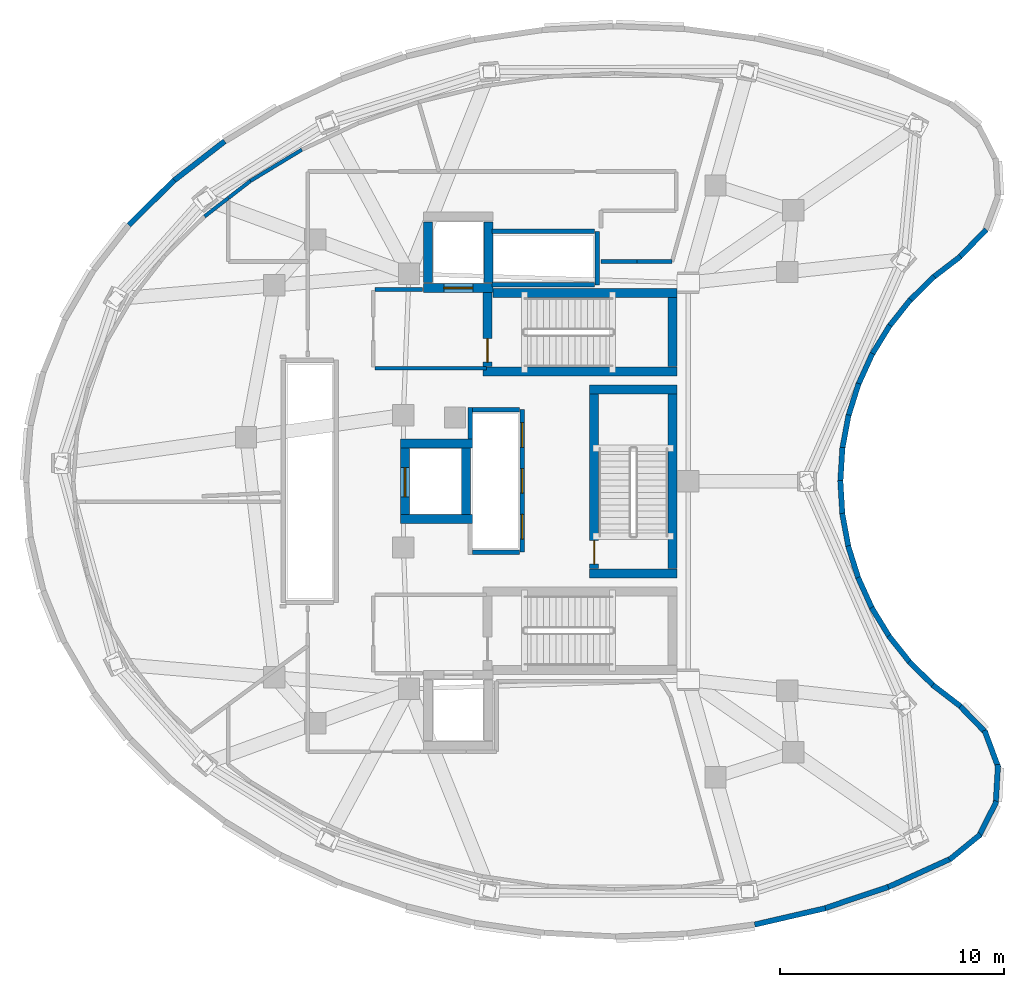
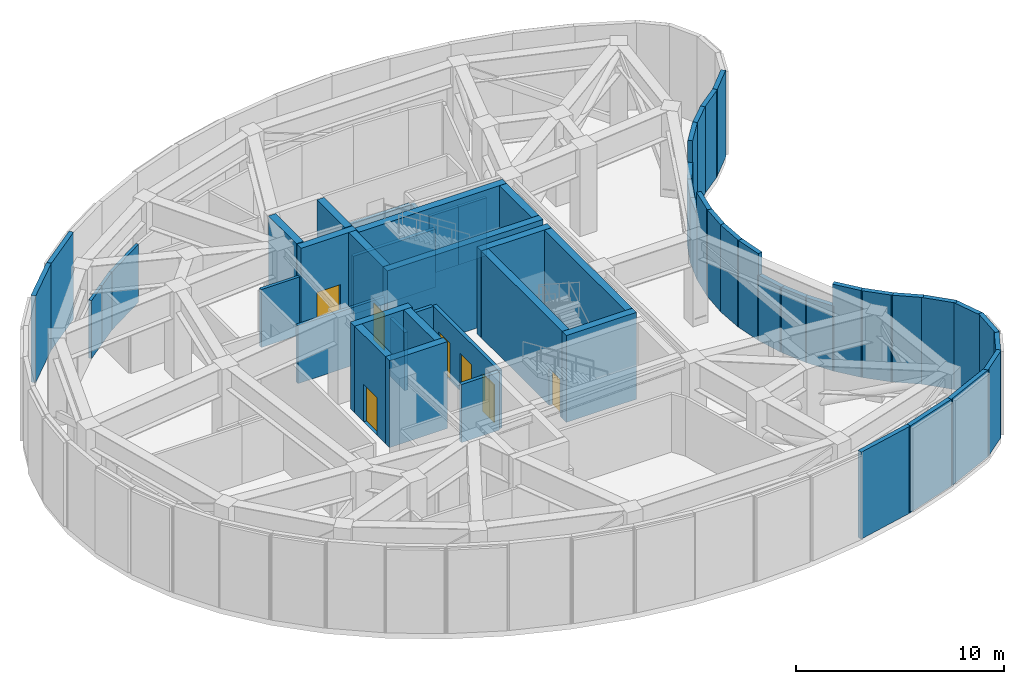
# One storey, part 5 of 9: 56 walls, 7 doors, 7 openings.
"""IFC4 building model written with IfcOpenShell, lengths in metres."""

import ifcopenshell
import ifcopenshell.guid

model = None  # the IFC model being written
_history = None  # IfcOwnerHistory: only IFC2X3 demands one
_inside = {}  # id of a spatial element -> (the spatial element, [elements in it])
_under = {}  # id of a project, library or spatial element -> (it, [spatial elements below it])
_declared = {}  # id of a project -> (the project, [libraries it declares])
_typed = {}  # id of a type object -> (the type object, [elements of that type])
_made_of = {}  # id of a material, layer set ... -> (it, [elements and type objects made of it])


def new_model(schema):
    """Start an empty IFC model of exactly this schema.

    Asked for "IFC4X3", IfcOpenShell would pick the latest addendum, in which some entities
    have other attributes; the version numbers below select the first issue.
    IFC2X3 requires an IfcOwnerHistory on every rooted entity: one is made here for all.
    """
    global model, _history
    if schema == "IFC4X3":
        model = ifcopenshell.file(schema_version=(4, 3, 0, 0))
    else:
        model = ifcopenshell.file(schema=schema)
    _inside.clear()
    _under.clear()
    _declared.clear()
    _typed.clear()
    _made_of.clear()
    _history = None
    if model.schema == "IFC2X3":
        org = make("IfcOrganization", Name="unknown")
        user = make(
            "IfcPersonAndOrganization",
            ThePerson=make("IfcPerson", FamilyName="unknown"),
            TheOrganization=org,
        )
        app = make(
            "IfcApplication",
            ApplicationDeveloper=org,
            Version="unknown",
            ApplicationFullName="unknown",
            ApplicationIdentifier="unknown",
        )
        _history = make(
            "IfcOwnerHistory",
            OwningUser=user,
            OwningApplication=app,
            ChangeAction="ADDED",
            CreationDate=0,
        )
    return model


def make(cls, **values):
    """One entity of the class cls with the attributes given. An attribute that is None is left unset."""
    return model.create_entity(
        cls, **{name: value for name, value in values.items() if value is not None}
    )


def rooted(cls, **values):
    """An entity with a GlobalId (a new one), such as an element, a storey or a relation."""
    return make(cls, GlobalId=ifcopenshell.guid.new(), OwnerHistory=_history, **values)


def si_unit(unit_type, name, prefix=None):
    """IfcSIUnit, for example si_unit("LENGTHUNIT", "METRE", prefix="MILLI")."""
    return make("IfcSIUnit", UnitType=unit_type, Prefix=prefix, Name=name)


def assignment(units):
    """IfcUnitAssignment: the units of a project."""
    return None if units is None else make("IfcUnitAssignment", Units=units)


def point(xyz):
    """IfcCartesianPoint."""
    return None if xyz is None else make("IfcCartesianPoint", Coordinates=xyz)


def direction(xyz):
    """IfcDirection."""
    return None if xyz is None else make("IfcDirection", DirectionRatios=xyz)


def frame(location, z_axis=None, x_axis=None):
    """IfcAxis2Placement3D, a coordinate frame: its origin and axes. An axis left out is left unset."""
    return make(
        "IfcAxis2Placement3D",
        Location=point(location),
        Axis=direction(z_axis),
        RefDirection=direction(x_axis),
    )


def frame_2d(location, x_axis=None):
    """IfcAxis2Placement2D, a coordinate frame in the plane: its origin and x axis."""
    return make(
        "IfcAxis2Placement2D", Location=point(location), RefDirection=direction(x_axis)
    )


def origin():
    """The frame at (0, 0, 0) with its axes left unset."""
    return frame((0.0, 0.0, 0.0))


def place(relative_to, where):
    """IfcLocalPlacement: puts the frame where relative to a parent placement (None: the world)."""
    return make(
        "IfcLocalPlacement", PlacementRelTo=relative_to, RelativePlacement=where
    )


def context(
    kind, dimensions, precision=None, world=None, true_north=None, identifier=None
):
    """IfcGeometricRepresentationContext, for example the 3D "Model" context."""
    return make(
        "IfcGeometricRepresentationContext",
        ContextIdentifier=identifier,
        ContextType=kind,
        CoordinateSpaceDimension=dimensions,
        Precision=precision,
        WorldCoordinateSystem=world,
        TrueNorth=true_north,
    )


def subcontext(parent, identifier, kind, view, scale=None):
    """IfcGeometricRepresentationSubContext, for example "Body" below "Model"."""
    return make(
        "IfcGeometricRepresentationSubContext",
        ContextIdentifier=identifier,
        ContextType=kind,
        ParentContext=parent,
        TargetScale=scale,
        TargetView=view,
    )


def project(units=None, contexts=None):
    """IfcProject with its units and contexts."""
    return rooted(
        "IfcProject",
        Name="project",
        RepresentationContexts=contexts,
        UnitsInContext=assignment(units),
    )


def spatial(cls, under=None, at=None, **own):
    """A site, building, storey or space (cls), placed at a placement, below another one or the project."""
    s = rooted(cls, ObjectPlacement=at, **own)
    if under is not None:
        _under.setdefault(under.id(), (under, []))[1].append(s)
    return s


def profile(cls, at=None, kind="AREA", **sizes):
    """A parametric profile (cls). Its sizes go by their IFC names, for example OverallWidth=200.0."""
    return make(cls, ProfileType=kind, Position=at, **sizes)


def rectangle(**sizes):
    """IfcRectangleProfileDef."""
    return profile("IfcRectangleProfileDef", **sizes)


def extrude(swept, where, along, depth):
    """IfcExtrudedAreaSolid: the profile swept, set in the frame where, extruded along a direction by depth."""
    return make(
        "IfcExtrudedAreaSolid",
        SweptArea=swept,
        Position=where,
        ExtrudedDirection=direction(along),
        Depth=depth,
    )


def shape(context_of_items, identifier, shape_type, items):
    """IfcShapeRepresentation: the items that make up one representation, for example the "Body"."""
    return make(
        "IfcShapeRepresentation",
        ContextOfItems=context_of_items,
        RepresentationIdentifier=identifier,
        RepresentationType=shape_type,
        Items=items,
    )


def material(Name=None, Category=None):
    """IfcMaterial."""
    return make("IfcMaterial", Name=Name, Category=Category)


def layer(
    of_material, thickness, ventilated=None, Name=None, Category=None, Priority=None
):
    """IfcMaterialLayer: one layer of a wall or slab, of a material (None: an air gap)."""
    return make(
        "IfcMaterialLayer",
        Material=of_material,
        LayerThickness=thickness,
        IsVentilated=ventilated,
        Name=Name,
        Category=Category,
        Priority=Priority,
    )


def layer_set(layers, Name=None):
    """IfcMaterialLayerSet."""
    return make("IfcMaterialLayerSet", MaterialLayers=layers, LayerSetName=Name)


def made_of(thing, what):
    """Note that an element or type object is made of a material, layer set ...; save() writes the relation."""
    if what is not None:
        _made_of.setdefault(what.id(), (what, []))[1].append(thing)
    return thing


def type_object(cls, material=None, **own):
    """A type object (cls), such as IfcWallType, which elements share."""
    return made_of(rooted(cls, **own), material)


def element(
    cls,
    number,
    at=None,
    inside=None,
    cuts=None,
    type_object=None,
    material=None,
    context=None,
    identifier="Body",
    shape_type=None,
    held_by="IfcProductDefinitionShape",
    body=None,
    shapes=None,
    **own,
):
    """One element of the class cls, such as IfcWall. Its Tag is "e" and its number.

    at: its placement. inside: the storey or other place that contains it. cuts: it is an
    opening in that element (IfcRelVoidsElement). A single representation is given by context,
    identifier, shape_type and body (its items); several are given by shapes. held_by: the class
    of the entity that holds the representations. save() writes the other relations.
    """
    e = rooted(cls, Tag="e%d" % number, ObjectPlacement=at, **own)
    if body is not None:
        shapes = [shape(context, identifier, shape_type, body)]
    if shapes is not None:
        e.Representation = make(held_by, Representations=shapes)
    if inside is not None:
        _inside.setdefault(inside.id(), (inside, []))[1].append(e)
    if cuts is not None:
        rooted(
            "IfcRelVoidsElement", RelatingBuildingElement=cuts, RelatedOpeningElement=e
        )
    if type_object is not None:
        _typed.setdefault(type_object.id(), (type_object, []))[1].append(e)
    return made_of(e, material)


def fill(opening, filler):
    """IfcRelFillsElement: the door or window that sits in an opening."""
    return rooted(
        "IfcRelFillsElement",
        RelatingOpeningElement=opening,
        RelatedBuildingElement=filler,
    )


def aggregate(whole, parts):
    """IfcRelAggregates: a whole, such as a stair, and the parts it consists of."""
    return rooted("IfcRelAggregates", RelatingObject=whole, RelatedObjects=parts)


def save(model, path):
    """Write the relations noted so far, then the file.

    IfcRelAggregates (storeys below a building ...), IfcRelContainedInSpatialStructure (elements
    in a storey), IfcRelDefinesByType, IfcRelAssociatesMaterial and IfcRelDeclares: one each for
    every whole, place, type object, material and project.
    """
    for whole, parts in _under.values():
        aggregate(whole, parts)
    for where, things in _inside.values():
        rooted(
            "IfcRelContainedInSpatialStructure",
            RelatedElements=things,
            RelatingStructure=where,
        )
    for kind, things in _typed.values():
        rooted("IfcRelDefinesByType", RelatedObjects=things, RelatingType=kind)
    for what, things in _made_of.values():
        rooted("IfcRelAssociatesMaterial", RelatedObjects=things, RelatingMaterial=what)
    for by, libraries in _declared.values():
        rooted("IfcRelDeclares", RelatingContext=by, RelatedDefinitions=libraries)
    model.write(path)


model = new_model("IFC4")

# Units and contexts
model_context = context("Model", 3, precision=1e-05, world=origin(), true_north=direction((0.0, 1.0)))
body_context = subcontext(model_context, "Body", "Model", "MODEL_VIEW")
ifc_project = project(units=[si_unit("LENGTHUNIT", "METRE"), si_unit("AREAUNIT", "SQUARE_METRE"), si_unit("VOLUMEUNIT", "CUBIC_METRE"), si_unit("PLANEANGLEUNIT", "RADIAN"), si_unit("MASSUNIT", "GRAM", prefix="KILO")], contexts=[model_context])

# Site, building, storey
site_placement = place(None, origin())
site = spatial("IfcSite", under=ifc_project, at=site_placement, CompositionType="ELEMENT")
building_placement = place(site_placement, origin())
building = spatial("IfcBuilding", under=site, at=building_placement, Name="Korentha Bioscience Tower", CompositionType="ELEMENT")
storey_placement = place(building_placement, frame((0.0, 0.0, 277.199951171875)))
storey = spatial("IfcBuildingStorey", under=building, at=storey_placement, Name="L64", CompositionType="ELEMENT", Elevation=277.199951171875)

# Walls
ifc_material_1 = material(Name="Gypsum-Clad Steel Stud", Category="steel")
ifc_layer_1 = layer(ifc_material_1, 0.159912109375, Name="Gypsum-Clad Steel Stud")
ifc_layer_set_1 = layer_set([ifc_layer_1], Name="Gypsum-Clad Steel Stud (IW-C160)")
wall_type_1 = type_object("IfcWallType", Name="Fire-Rated Corridor Partition Wall 160", PredefinedType="PARTITIONING", material=ifc_layer_set_1)
wall_1_placement = place(storey_placement, frame((23.580078125, 32.050048828125, 0.0), z_axis=(0.0, 0.0, 1.0), x_axis=(1.0, 0.0, 0.0)))
element("IfcWall", 1, at=wall_1_placement, inside=storey, type_object=wall_type_1, Name="L64 Firefighting Lobby Return Wall FFLN-S", PredefinedType="PARTITIONING", context=body_context, shape_type="SweptSolid", body=[
    extrude(rectangle(XDim=4.969970703125, YDim=0.159912109375, at=frame_2d((2.48486328125, 0.0))), origin(), (0.0, 0.0, 1.0), 3.41015625),
])
wall_2_placement = place(storey_placement, frame((23.580078125, 35.550048828125, 0.0), z_axis=(0.0, 0.0, 1.0), x_axis=(1.0, 0.0, 0.0)))
element("IfcWall", 2, at=wall_2_placement, inside=storey, type_object=wall_type_1, Name="L64 Firefighting Lobby Return Wall FFLN-N", PredefinedType="PARTITIONING", context=body_context, shape_type="SweptSolid", body=[
    extrude(rectangle(XDim=2.119873046875, YDim=0.159912109375, at=frame_2d((1.06005859375, 0.0))), origin(), (0.0, 0.0, 1.0), 3.41015625),
])
wall_3_placement = place(storey_placement, frame((36.829833984375, 36.802001953125, 0.0), z_axis=(0.0, 0.0, 1.0), x_axis=(-1.0, 0.0, 0.0)))
element("IfcWall", 3, at=wall_3_placement, inside=storey, type_object=wall_type_1, Name="L64 Interior Partition 044", PredefinedType="PARTITIONING", context=body_context, shape_type="SweptSolid", body=[
    extrude(rectangle(XDim=1.56787109375, YDim=0.159912109375, at=frame_2d((0.783935546875, 0.0))), origin(), (0.0, 0.0, 1.0), 3.41015625),
])
wall_4_placement = place(storey_placement, frame((35.257080078125, 36.802001953125, 0.0), z_axis=(0.0, 0.0, 1.0), x_axis=(-1.0, 0.0, 0.0)))
element("IfcWall", 4, at=wall_4_placement, inside=storey, type_object=wall_type_1, Name="L64 Interior Partition 045", PredefinedType="PARTITIONING", context=body_context, shape_type="SweptSolid", body=[
    extrude(rectangle(XDim=1.607177734375, YDim=0.159912109375, at=frame_2d((0.8037109375, 0.0))), origin(), (0.0, 0.0, 1.0), 3.41015625),
])
wall_5_placement = place(storey_placement, frame((17.052001953125, 39.632568359375, 0.0), z_axis=(0.0, 0.0, 1.0), x_axis=(0.790443669582, 0.612534737969, 0.0)))
element("IfcWall", 5, at=wall_5_placement, inside=storey, type_object=wall_type_1, Name="L64 Interior Partition 055", PredefinedType="PARTITIONING", context=body_context, shape_type="SweptSolid", body=[
    extrude(rectangle(XDim=1.2392578125, YDim=0.159912109375, at=frame_2d((0.61962890625, 0.0))), origin(), (0.0, 0.0, 1.0), 3.41015625),
])
wall_6_placement = place(storey_placement, frame((18.031494140625, 40.3916015625, 0.0), z_axis=(0.0, 0.0, 1.0), x_axis=(0.854517984413, 0.519421807701, 0.0)))
element("IfcWall", 6, at=wall_6_placement, inside=storey, type_object=wall_type_1, Name="L64 Interior Partition 056", PredefinedType="PARTITIONING", context=body_context, shape_type="SweptSolid", body=[
    extrude(rectangle(XDim=2.684814453125, YDim=0.159912109375, at=frame_2d((1.34228515625, 0.0))), origin(), (0.0, 0.0, 1.0), 3.41015625),
])
wall_7_placement = place(storey_placement, frame((15.9892578125, 38.80908203125, 0.0), z_axis=(0.0, 0.0, 1.0), x_axis=(0.790486056545, 0.612480035927, 0.0)))
element("IfcWall", 7, at=wall_7_placement, inside=storey, type_object=wall_type_1, Name="L64 Interior Partition 064", PredefinedType="PARTITIONING", context=body_context, shape_type="SweptSolid", body=[
    extrude(rectangle(XDim=1.331787109375, YDim=0.159912109375, at=frame_2d((0.666015625, 0.0))), origin(), (0.0, 0.0, 1.0), 3.41015625),
])
ifc_material_2 = material(Name="Autoclaved Aerated Concrete Block C25", Category="concrete")
ifc_layer_2 = layer(ifc_material_2, 0.199951171875, Name="Autoclaved Aerated Concrete Block C25")
ifc_layer_set_2 = layer_set([ifc_layer_2], Name="Autoclaved Aerated Concrete Block C25 (IW-S200)")
wall_type_2 = type_object("IfcWallType", Name="Lift and Riser Shaft Enclosure Wall 200", PredefinedType="PARTITIONING", material=ifc_layer_set_2)
wall_8_placement = place(storey_placement, frame((27.830078125, 28.884033203125, 0.0), z_axis=(0.0, 0.0, 1.0), x_axis=(0.0, 1.0, 0.0)))
element("IfcWall", 8, at=wall_8_placement, inside=storey, type_object=wall_type_2, Name="L64 Lift Bank HIGH Shaft Wall -XN", PredefinedType="PARTITIONING", context=body_context, shape_type="SweptSolid", body=[
    extrude(rectangle(XDim=1.416015625, YDim=0.199951171875, at=frame_2d((0.7080078125, 0.0))), origin(), (0.0, 0.0, 1.0), 3.41015625),
])

# Wall, openings, doors
wall_9_placement = place(storey_placement, frame((30.14990234375, 23.85009765625, 0.0), z_axis=(0.0, 0.0, 1.0), x_axis=(0.0, 1.0, 0.0)))
wall_9 = element("IfcWall", 9, at=wall_9_placement, inside=storey, type_object=wall_type_2, Name="L64 Lift Bank HIGH Shaft Wall +X", PredefinedType="PARTITIONING", context=body_context, shape_type="SweptSolid", body=[
    extrude(rectangle(XDim=6.349853515625, YDim=0.199951171875, at=frame_2d((3.1748046875, 0.0))), origin(), (0.0, 0.0, 1.0), 3.41015625),
])
opening_1_placement = place(wall_9_placement, frame((0.580078125, 0.0, 0.0)))
opening_1 = element("IfcOpeningElement", 10, at=opening_1_placement, cuts=wall_9, Name="Opening LD-11", PredefinedType="OPENING", context=body_context, shape_type="SweptSolid", body=[
    extrude(rectangle(XDim=1.10009765625, YDim=2.199951171875, at=frame_2d((0.550048828125, 1.10009765625))), frame((0.0, 0.11474609375, 0.0), z_axis=(0.0, -1.0, 0.0), x_axis=(1.0, 0.0, 0.0)), (0.0, 0.0, 1.0), 0.229736328125),
])
opening_2_placement = place(wall_9_placement, frame((2.6201171875, 0.0, 0.0)))
opening_2 = element("IfcOpeningElement", 11, at=opening_2_placement, cuts=wall_9, Name="Opening LD-11", PredefinedType="OPENING", context=body_context, shape_type="SweptSolid", body=[
    extrude(rectangle(XDim=1.10009765625, YDim=2.199951171875, at=frame_2d((0.550048828125, 1.10009765625))), frame((0.0, 0.11474609375, 0.0), z_axis=(0.0, -1.0, 0.0), x_axis=(1.0, 0.0, 0.0)), (0.0, 0.0, 1.0), 0.229736328125),
])
opening_3_placement = place(wall_9_placement, frame((4.669921875, 0.0, 0.0)))
opening_3 = element("IfcOpeningElement", 12, at=opening_3_placement, cuts=wall_9, Name="Opening LD-11", PredefinedType="OPENING", context=body_context, shape_type="SweptSolid", body=[
    extrude(rectangle(XDim=1.10009765625, YDim=2.199951171875, at=frame_2d((0.550048828125, 1.10009765625))), frame((0.0, 0.11474609375, 0.0), z_axis=(0.0, -1.0, 0.0), x_axis=(1.0, 0.0, 0.0)), (0.0, 0.0, 1.0), 0.229736328125),
])
ifc_material_3 = material(Name="Brushed Stainless Steel 304", Category="steel")
door_type_1 = type_object("IfcDoorType", Name="Passenger Lift Sliding Landing Door 1100x2200", OperationType="DOUBLE_DOOR_SLIDING", PredefinedType="DOOR", material=ifc_material_3)
door_1_placement = place(opening_1_placement, origin())
door_1 = element("IfcDoor", 13, at=door_1_placement, inside=storey, type_object=door_type_1, Name="L64 PL-H1 Sliding Lift Landing Door", OperationType="DOUBLE_DOOR_SLIDING", OverallHeight=2.199951171875, OverallWidth=1.10009765625, PredefinedType="DOOR", context=body_context, shape_type="SweptSolid", body=[
    extrude(rectangle(XDim=1.10009765625, YDim=2.199951171875, at=frame_2d((0.550048828125, 1.10009765625))), frame((0.0, 0.02490234375, 0.0), z_axis=(0.0, -1.0, 0.0), x_axis=(1.0, 0.0, 0.0)), (0.0, 0.0, 1.0), 0.050048828125),
])
fill(opening_1, door_1)
door_2_placement = place(opening_2_placement, origin())
door_2 = element("IfcDoor", 14, at=door_2_placement, inside=storey, type_object=door_type_1, Name="L64 PL-H2 Sliding Lift Landing Door", OperationType="DOUBLE_DOOR_SLIDING", OverallHeight=2.199951171875, OverallWidth=1.10009765625, PredefinedType="DOOR", context=body_context, shape_type="SweptSolid", body=[
    extrude(rectangle(XDim=1.10009765625, YDim=2.199951171875, at=frame_2d((0.550048828125, 1.10009765625))), frame((0.0, 0.02490234375, 0.0), z_axis=(0.0, -1.0, 0.0), x_axis=(1.0, 0.0, 0.0)), (0.0, 0.0, 1.0), 0.050048828125),
])
fill(opening_2, door_2)
door_3_placement = place(opening_3_placement, origin())
door_3 = element("IfcDoor", 15, at=door_3_placement, inside=storey, type_object=door_type_1, Name="L64 PL-H3 Sliding Lift Landing Door", OperationType="DOUBLE_DOOR_SLIDING", OverallHeight=2.199951171875, OverallWidth=1.10009765625, PredefinedType="DOOR", context=body_context, shape_type="SweptSolid", body=[
    extrude(rectangle(XDim=1.10009765625, YDim=2.199951171875, at=frame_2d((0.550048828125, 1.10009765625))), frame((0.0, 0.02490234375, 0.0), z_axis=(0.0, -1.0, 0.0), x_axis=(1.0, 0.0, 0.0)), (0.0, 0.0, 1.0), 0.050048828125),
])
fill(opening_3, door_3)

# Walls
for number, where, z_axis, x_axis, name in (
    (16, (27.93408203125, 23.85009765625, 0.0), (0.0, 0.0, 1.0), (1.0, 0.0, 0.0), "L64 Lift Bank HIGH Shaft Wall -Y"),
    (17, (27.93408203125, 30.199951171875, 0.0), (0.0, 0.0, 1.0), (1.0, 0.0, 0.0), "L64 Lift Bank HIGH Shaft Wall +Y"),
):
    element("IfcWall", number, at=place(storey_placement, frame(where, z_axis=z_axis, x_axis=x_axis)), inside=storey, type_object=wall_type_2, Name=name, PredefinedType="PARTITIONING", context=body_context, shape_type="SweptSolid", body=[
        extrude(rectangle(XDim=2.095947265625, YDim=0.199951171875, at=frame_2d((1.0478515625, 0.0))), origin(), (0.0, 0.0, 1.0), 3.41015625),
    ])
wall_10_placement = place(storey_placement, frame((33.489990234375, 35.760009765625, 0.0), z_axis=(0.0, 0.0, 1.0), x_axis=(0.0, 1.0, 0.0)))
element("IfcWall", 18, at=wall_10_placement, inside=storey, type_object=wall_type_2, Name="L64 Lift Bank OBS Shaft Wall +X", PredefinedType="PARTITIONING", context=body_context, shape_type="SweptSolid", body=[
    extrude(rectangle(XDim=2.3798828125, YDim=0.199951171875, at=frame_2d((1.18994140625, 0.0))), origin(), (0.0, 0.0, 1.0), 3.41015625),
])
for number, where, z_axis, x_axis, name in (
    (19, (28.800048828125, 35.760009765625, 0.0), (0.0, 0.0, 1.0), (1.0, 0.0, 0.0), "L64 Lift Bank OBS Shaft Wall -Y"),
    (20, (28.800048828125, 38.139892578125, 0.0), (0.0, 0.0, 1.0), (1.0, 0.0, 0.0), "L64 Lift Bank OBS Shaft Wall +Y"),
):
    element("IfcWall", number, at=place(storey_placement, frame(where, z_axis=z_axis, x_axis=x_axis)), inside=storey, type_object=wall_type_2, Name=name, PredefinedType="PARTITIONING", context=body_context, shape_type="SweptSolid", body=[
        extrude(rectangle(XDim=4.570068359375, YDim=0.199951171875, at=frame_2d((2.28515625, 0.0))), origin(), (0.0, 0.0, 1.0), 3.41015625),
    ])
ifc_material_4 = material(Name="Concrete C65", Category="concrete")
ifc_layer_3 = layer(ifc_material_4, 0.39990234375, Name="Concrete C65")
ifc_layer_set_3 = layer_set([ifc_layer_3], Name="Concrete C65 (CW-C65)")
wall_type_3 = type_object("IfcWallType", Name="Mid-Rise Core Shear Wall 400", PredefinedType="SHEAR", material=ifc_layer_set_3)
wall_11_placement = place(storey_placement, frame((28.85205078125, 35.39990234375, 0.0), z_axis=(0.0, 0.0, 1.0), x_axis=(1.0, 0.0, 0.0)))
element("IfcWall", 21, at=wall_11_placement, inside=storey, type_object=wall_type_3, Name="L64 Core Shear Wall ST1-N", PredefinedType="SHEAR", context=body_context, shape_type="SweptSolid", body=[
    extrude(rectangle(XDim=8.197998046875, YDim=0.39990234375, at=frame_2d((4.09912109375, 0.0))), origin(), (0.0, 0.0, 1.0), 5.10009765625),
])
wall_12_placement = place(storey_placement, frame((28.39990234375, 31.89990234375, 0.0), z_axis=(0.0, 0.0, 1.0), x_axis=(1.0, 0.0, 0.0)))
element("IfcWall", 22, at=wall_12_placement, inside=storey, type_object=wall_type_3, Name="L64 Core Shear Wall ST1-S", PredefinedType="SHEAR", context=body_context, shape_type="SweptSolid", body=[
    extrude(rectangle(XDim=8.650146484375, YDim=0.39990234375, at=frame_2d((4.3251953125, 0.0))), origin(), (0.0, 0.0, 1.0), 5.10009765625),
])
wall_13_placement = place(storey_placement, frame((36.85009765625, 32.110107421875, 0.0), z_axis=(0.0, 0.0, 1.0), x_axis=(0.0, 1.0, 0.0)))
element("IfcWall", 23, at=wall_13_placement, inside=storey, type_object=wall_type_3, Name="L64 Core Shear Wall ST1-E", PredefinedType="SHEAR", context=body_context, shape_type="SweptSolid", body=[
    extrude(rectangle(XDim=3.079833984375, YDim=0.39990234375, at=frame_2d((1.5400390625, 0.0))), origin(), (0.0, 0.0, 1.0), 5.10009765625),
])

# Wall, opening, door
wall_14_placement = place(storey_placement, frame((28.60009765625, 32.110107421875, 0.0), z_axis=(0.0, 0.0, 1.0), x_axis=(0.0, 1.0, 0.0)))
wall_14 = element("IfcWall", 24, at=wall_14_placement, inside=storey, type_object=wall_type_3, Name="L64 Core Shear Wall ST1-W", PredefinedType="SHEAR", context=body_context, shape_type="SweptSolid", body=[
    extrude(rectangle(XDim=3.307861328125, YDim=0.39990234375, at=frame_2d((1.65380859375, 0.0))), origin(), (0.0, 0.0, 1.0), 5.10009765625),
])
opening_4_placement = place(wall_14_placement, frame((0.199951171875, 0.0, 0.0)))
opening_4 = element("IfcOpeningElement", 25, at=opening_4_placement, cuts=wall_14, Name="Opening FD-90L", PredefinedType="OPENING", context=body_context, shape_type="SweptSolid", body=[
    extrude(rectangle(XDim=1.050048828125, YDim=2.14990234375, at=frame_2d((0.52490234375, 1.074951171875))), frame((0.0, 0.21484375, 0.0), z_axis=(0.0, -1.0, 0.0), x_axis=(1.0, 0.0, 0.0)), (0.0, 0.0, 1.0), 0.4296875),
])
ifc_material_5 = material(Name="Powder-Coated Fire-Rated Steel", Category="steel")
door_type_2 = type_object("IfcDoorType", Name="Stairwell Fire Exit Door 1050x2150 Left", OperationType="SINGLE_SWING_LEFT", PredefinedType="DOOR", material=ifc_material_5)
door_4_placement = place(opening_4_placement, origin())
door_4 = element("IfcDoor", 26, at=door_4_placement, inside=storey, type_object=door_type_2, Name="L64 ST-1 Fire Exit Stair Door", OperationType="SINGLE_SWING_LEFT", OverallHeight=2.14990234375, OverallWidth=1.050048828125, PredefinedType="DOOR", context=body_context, shape_type="SweptSolid", body=[
    extrude(rectangle(XDim=1.050048828125, YDim=2.14990234375, at=frame_2d((0.52490234375, 1.074951171875))), frame((0.0, 0.02490234375, 0.0), z_axis=(0.0, -1.0, 0.0), x_axis=(1.0, 0.0, 0.0)), (0.0, 0.0, 1.0), 0.050048828125),
])
fill(opening_4, door_4)

# Walls
for number, where, z_axis, x_axis, name in (
    (27, (33.14990234375, 31.10009765625, 0.0), (0.0, 0.0, 1.0), (1.0, 0.0, 0.0), "L64 Core Shear Wall ST3-N"),
    (28, (33.14990234375, 22.89990234375, 0.0), (0.0, 0.0, 1.0), (1.0, 0.0, 0.0), "L64 Core Shear Wall ST3-S"),
):
    element("IfcWall", number, at=place(storey_placement, frame(where, z_axis=z_axis, x_axis=x_axis)), inside=storey, type_object=wall_type_3, Name=name, PredefinedType="SHEAR", context=body_context, shape_type="SweptSolid", body=[
        extrude(rectangle(XDim=3.900146484375, YDim=0.39990234375, at=frame_2d((1.9501953125, 0.0))), origin(), (0.0, 0.0, 1.0), 5.10009765625),
    ])
wall_15_placement = place(storey_placement, frame((36.85009765625, 23.110107421875, 0.0), z_axis=(0.0, 0.0, 1.0), x_axis=(0.0, 1.0, 0.0)))
element("IfcWall", 29, at=wall_15_placement, inside=storey, type_object=wall_type_3, Name="L64 Core Shear Wall ST3-E", PredefinedType="SHEAR", context=body_context, shape_type="SweptSolid", body=[
    extrude(rectangle(XDim=7.77978515625, YDim=0.39990234375, at=frame_2d((3.889892578125, 0.0))), origin(), (0.0, 0.0, 1.0), 5.10009765625),
])

# Wall, opening, door
wall_16_placement = place(storey_placement, frame((33.35009765625, 23.110107421875, 0.0), z_axis=(0.0, 0.0, 1.0), x_axis=(0.0, 1.0, 0.0)))
wall_16 = element("IfcWall", 30, at=wall_16_placement, inside=storey, type_object=wall_type_3, Name="L64 Core Shear Wall ST3-W", PredefinedType="SHEAR", context=body_context, shape_type="SweptSolid", body=[
    extrude(rectangle(XDim=7.77978515625, YDim=0.39990234375, at=frame_2d((3.889892578125, 0.0))), origin(), (0.0, 0.0, 1.0), 5.10009765625),
])
opening_5_placement = place(wall_16_placement, frame((0.199951171875, 0.0, 0.0)))
opening_5 = element("IfcOpeningElement", 31, at=opening_5_placement, cuts=wall_16, Name="Opening FD-90L", PredefinedType="OPENING", context=body_context, shape_type="SweptSolid", body=[
    extrude(rectangle(XDim=1.050048828125, YDim=2.14990234375, at=frame_2d((0.52490234375, 1.074951171875))), frame((0.0, 0.21484375, 0.0), z_axis=(0.0, -1.0, 0.0), x_axis=(1.0, 0.0, 0.0)), (0.0, 0.0, 1.0), 0.4296875),
])
door_5_placement = place(opening_5_placement, origin())
door_5 = element("IfcDoor", 32, at=door_5_placement, inside=storey, type_object=door_type_2, Name="L64 ST-3 Fire Exit Stair Door", OperationType="SINGLE_SWING_LEFT", OverallHeight=2.14990234375, OverallWidth=1.050048828125, PredefinedType="DOOR", context=body_context, shape_type="SweptSolid", body=[
    extrude(rectangle(XDim=1.050048828125, YDim=2.14990234375, at=frame_2d((0.52490234375, 1.074951171875))), frame((0.0, 0.02490234375, 0.0), z_axis=(0.0, -1.0, 0.0), x_axis=(1.0, 0.0, 0.0)), (0.0, 0.0, 1.0), 0.050048828125),
])
fill(opening_5, door_5)

wall_17_placement = place(storey_placement, frame((25.75, 35.6201171875, 0.0), z_axis=(0.0, 0.0, 1.0), x_axis=(1.0, 0.0, 0.0)))
wall_17 = element("IfcWall", 33, at=wall_17_placement, inside=storey, type_object=wall_type_3, Name="L64 Core Shear Wall FFL2-S", PredefinedType="SHEAR", context=body_context, shape_type="SweptSolid", body=[
    extrude(rectangle(XDim=3.10009765625, YDim=0.39990234375, at=frame_2d((1.550048828125, 0.0))), origin(), (0.0, 0.0, 1.0), 5.10009765625),
])
opening_6_placement = place(wall_17_placement, frame((0.89990234375, 0.0, 0.0)))
opening_6 = element("IfcOpeningElement", 34, at=opening_6_placement, cuts=wall_17, Name="Opening LD-13", PredefinedType="OPENING", context=body_context, shape_type="SweptSolid", body=[
    extrude(rectangle(XDim=1.300048828125, YDim=2.199951171875, at=frame_2d((0.64990234375, 1.10009765625))), frame((0.0, 0.21484375, 0.0), z_axis=(0.0, -1.0, 0.0), x_axis=(1.0, 0.0, 0.0)), (0.0, 0.0, 1.0), 0.4296875),
])
ifc_material_6 = material(Name="Brushed Stainless Steel 316", Category="steel")
door_type_3 = type_object("IfcDoorType", Name="Service & Firefighting Lift Landing Door 1300x2300", OperationType="DOUBLE_DOOR_SLIDING", PredefinedType="DOOR", material=ifc_material_6)
door_6_placement = place(opening_6_placement, origin())
door_6 = element("IfcDoor", 35, at=door_6_placement, inside=storey, type_object=door_type_3, Name="L64 FFL-2 Sliding Lift Landing Door", OperationType="DOUBLE_DOOR_SLIDING", OverallHeight=2.199951171875, OverallWidth=1.300048828125, PredefinedType="DOOR", context=body_context, shape_type="SweptSolid", body=[
    extrude(rectangle(XDim=1.300048828125, YDim=2.199951171875, at=frame_2d((0.64990234375, 1.10009765625))), frame((0.0, 0.02490234375, 0.0), z_axis=(0.0, -1.0, 0.0), x_axis=(1.0, 0.0, 0.0)), (0.0, 0.0, 1.0), 0.050048828125),
])
fill(opening_6, door_6)

# Walls
for number, where, z_axis, x_axis, name in (
    (36, (25.949951171875, 35.860107421875, 0.0), (0.0, 0.0, 1.0), (0.0, 1.0, 0.0), "L64 Core Shear Wall FFL2-W"),
    (37, (28.64990234375, 35.860107421875, 0.0), (0.0, 0.0, 1.0), (0.0, 1.0, 0.0), "L64 Core Shear Wall FFL2-E"),
):
    element("IfcWall", number, at=place(storey_placement, frame(where, z_axis=z_axis, x_axis=x_axis)), inside=storey, type_object=wall_type_3, Name=name, PredefinedType="SHEAR", context=body_context, shape_type="SweptSolid", body=[
        extrude(rectangle(XDim=2.699951171875, YDim=0.39990234375, at=frame_2d((1.35009765625, 0.0))), origin(), (0.0, 0.0, 1.0), 5.10009765625),
    ])
for number, where, z_axis, x_axis, name in (
    (38, (24.719970703125, 28.679931640625, 0.0), (0.0, 0.0, 1.0), (1.0, 0.0, 0.0), "L64 Core Shear Wall SVL1-N"),
    (39, (24.719970703125, 25.320068359375, 0.0), (0.0, 0.0, 1.0), (1.0, 0.0, 0.0), "L64 Core Shear Wall SVL1-S"),
):
    element("IfcWall", number, at=place(storey_placement, frame(where, z_axis=z_axis, x_axis=x_axis)), inside=storey, type_object=wall_type_3, Name=name, PredefinedType="SHEAR", context=body_context, shape_type="SweptSolid", body=[
        extrude(rectangle(XDim=3.2099609375, YDim=0.39990234375, at=frame_2d((1.60498046875, 0.0))), origin(), (0.0, 0.0, 1.0), 5.10009765625),
    ])

# Wall, opening, door
wall_18_placement = place(storey_placement, frame((24.919921875, 25.52197265625, 0.0), z_axis=(0.0, 0.0, 1.0), x_axis=(0.0, 1.0, 0.0)))
wall_18 = element("IfcWall", 40, at=wall_18_placement, inside=storey, type_object=wall_type_3, Name="L64 Core Shear Wall SVL1-W", PredefinedType="SHEAR", context=body_context, shape_type="SweptSolid", body=[
    extrude(rectangle(XDim=2.9560546875, YDim=0.39990234375, at=frame_2d((1.47802734375, 0.0))), origin(), (0.0, 0.0, 1.0), 5.10009765625),
])
opening_7_placement = place(wall_18_placement, frame((0.7900390625, 0.0, 0.0)))
opening_7 = element("IfcOpeningElement", 41, at=opening_7_placement, cuts=wall_18, Name="Opening LD-13", PredefinedType="OPENING", context=body_context, shape_type="SweptSolid", body=[
    extrude(rectangle(XDim=1.300048828125, YDim=2.199951171875, at=frame_2d((0.64990234375, 1.10009765625))), frame((0.0, 0.21484375, 0.0), z_axis=(0.0, -1.0, 0.0), x_axis=(1.0, 0.0, 0.0)), (0.0, 0.0, 1.0), 0.4296875),
])
door_7_placement = place(opening_7_placement, origin())
door_7 = element("IfcDoor", 42, at=door_7_placement, inside=storey, type_object=door_type_3, Name="L64 SVL-1 Sliding Lift Landing Door", OperationType="DOUBLE_DOOR_SLIDING", OverallHeight=2.199951171875, OverallWidth=1.300048828125, PredefinedType="DOOR", context=body_context, shape_type="SweptSolid", body=[
    extrude(rectangle(XDim=1.300048828125, YDim=2.199951171875, at=frame_2d((0.64990234375, 1.10009765625))), frame((0.0, 0.02490234375, 0.0), z_axis=(0.0, -1.0, 0.0), x_axis=(1.0, 0.0, 0.0)), (0.0, 0.0, 1.0), 0.050048828125),
])
fill(opening_7, door_7)

# Walls
wall_19_placement = place(storey_placement, frame((27.64990234375, 25.52197265625, 0.0), z_axis=(0.0, 0.0, 1.0), x_axis=(0.0, 1.0, 0.0)))
element("IfcWall", 43, at=wall_19_placement, inside=storey, type_object=wall_type_3, Name="L64 Core Shear Wall SVL1-E", PredefinedType="SHEAR", context=body_context, shape_type="SweptSolid", body=[
    extrude(rectangle(XDim=2.9560546875, YDim=0.39990234375, at=frame_2d((1.47802734375, 0.0))), origin(), (0.0, 0.0, 1.0), 5.10009765625),
])
ifc_material_7 = material(Name="Insulated Precast Concrete C40", Category="concrete")
ifc_layer_4 = layer(ifc_material_7, 0.239990234375, Name="Insulated Precast Concrete C40")
ifc_layer_set_4 = layer_set([ifc_layer_4], Name="Insulated Precast Concrete C40 (EW-PL240)")
wall_type_4 = type_object("IfcWallType", Name="Plant Acoustic Louvre Backup Wall 240", PredefinedType="STANDARD", material=ifc_layer_set_4)
wall_20_placement = place(storey_placement, frame((16.88427734375, 42.1591796875, 0.0), z_axis=(0.0, 0.0, 1.0), x_axis=(-0.790494374307, -0.61246930061, 0.0)))
element("IfcWall", 44, at=wall_20_placement, inside=storey, type_object=wall_type_4, Name="L64 Plant Louvre Backup Wall 12", PredefinedType="STANDARD", context=body_context, shape_type="SweptSolid", body=[
    extrude(rectangle(XDim=2.94287109375, YDim=0.239990234375, at=frame_2d((1.471435546875, 0.0))), origin(), (0.0, 0.0, 1.0), 5.10009765625),
])
wall_21_placement = place(storey_placement, frame((14.643798828125, 40.431884765625, 0.0), z_axis=(0.0, 0.0, 1.0), x_axis=(-0.711370453411, -0.702817243679, 0.0)))
element("IfcWall", 45, at=wall_21_placement, inside=storey, type_object=wall_type_4, Name="L64 Plant Louvre Backup Wall 13", PredefinedType="STANDARD", context=body_context, shape_type="SweptSolid", body=[
    extrude(rectangle(XDim=2.8544921875, YDim=0.239990234375, at=frame_2d((1.42724609375, 0.0))), origin(), (0.0, 0.0, 1.0), 5.10009765625),
])
wall_22_placement = place(storey_placement, frame((40.509765625, 7.241943359375, 0.0), z_axis=(0.0, 0.0, 1.0), x_axis=(0.974187340975, 0.225741056707, 0.0)))
element("IfcWall", 46, at=wall_22_placement, inside=storey, type_object=wall_type_4, Name="L64 Plant Louvre Backup Wall 34", PredefinedType="STANDARD", context=body_context, shape_type="SweptSolid", body=[
    extrude(rectangle(XDim=3.23583984375, YDim=0.239990234375, at=frame_2d((1.617919921875, 0.0))), origin(), (0.0, 0.0, 1.0), 5.10009765625),
])
wall_23_placement = place(storey_placement, frame((43.5546875, 7.942138671875, 0.0), z_axis=(0.0, 0.0, 1.0), x_axis=(0.947650735005, 0.319308760363, 0.0)))
element("IfcWall", 47, at=wall_23_placement, inside=storey, type_object=wall_type_4, Name="L64 Plant Louvre Backup Wall 35", PredefinedType="STANDARD", context=body_context, shape_type="SweptSolid", body=[
    extrude(rectangle(XDim=3.183837890625, YDim=0.239990234375, at=frame_2d((1.591796875, 0.0))), origin(), (0.0, 0.0, 1.0), 5.10009765625),
])
wall_24_placement = place(storey_placement, frame((46.467529296875, 8.91748046875, 0.0), z_axis=(0.0, 0.0, 1.0), x_axis=(0.910602355957, 0.413283618507, 0.0)))
element("IfcWall", 48, at=wall_24_placement, inside=storey, type_object=wall_type_4, Name="L64 Plant Louvre Backup Wall 36", PredefinedType="STANDARD", context=body_context, shape_type="SweptSolid", body=[
    extrude(rectangle(XDim=3.1171875, YDim=0.239990234375, at=frame_2d((1.55859375, 0.0))), origin(), (0.0, 0.0, 1.0), 5.10009765625),
])
wall_25_placement = place(storey_placement, frame((49.195556640625, 10.13720703125, 0.0), z_axis=(0.0, 0.0, 1.0), x_axis=(0.774207552051, 0.632931802288, 0.0)))
element("IfcWall", 49, at=wall_25_placement, inside=storey, type_object=wall_type_4, Name="L64 Plant Louvre Backup Wall 37", PredefinedType="STANDARD", context=body_context, shape_type="SweptSolid", body=[
    extrude(rectangle(XDim=1.78173828125, YDim=0.239990234375, at=frame_2d((0.890869140625, 0.0))), origin(), (0.0, 0.0, 1.0), 5.10009765625),
])
for number, where, z_axis, x_axis, name in (
    (50, (50.482666015625, 11.150390625, 0.0), (0.0, 0.0, 1.0), (0.45416185355, 0.890919194305, 0.0), "L64 Plant Louvre Backup Wall 38"),
    (51, (51.25341796875, 12.595703125, 0.0), (0.0, 0.0, 1.0), (0.05742054677, 0.998350079285, 0.0), "L64 Plant Louvre Backup Wall 39"),
):
    element("IfcWall", number, at=place(storey_placement, frame(where, z_axis=z_axis, x_axis=x_axis)), inside=storey, type_object=wall_type_4, Name=name, PredefinedType="STANDARD", context=body_context, shape_type="SweptSolid", body=[
        extrude(rectangle(XDim=1.781494140625, YDim=0.239990234375, at=frame_2d((0.890625, 0.0))), origin(), (0.0, 0.0, 1.0), 5.10009765625),
    ])
wall_26_placement = place(storey_placement, frame((51.377685546875, 14.228759765625, 0.0), z_axis=(0.0, 0.0, 1.0), x_axis=(-0.349005210655, 0.937120783536, 0.0)))
element("IfcWall", 52, at=wall_26_placement, inside=storey, type_object=wall_type_4, Name="L64 Plant Louvre Backup Wall 40", PredefinedType="STANDARD", context=body_context, shape_type="SweptSolid", body=[
    extrude(rectangle(XDim=1.78173828125, YDim=0.239990234375, at=frame_2d((0.890869140625, 0.0))), origin(), (0.0, 0.0, 1.0), 5.10009765625),
])
wall_27_placement = place(storey_placement, frame((50.83447265625, 15.77392578125, 0.0), z_axis=(0.0, 0.0, 1.0), x_axis=(-0.696406887507, 0.717647160542, 0.0)))
element("IfcWall", 53, at=wall_27_placement, inside=storey, type_object=wall_type_4, Name="L64 Plant Louvre Backup Wall 41", PredefinedType="STANDARD", context=body_context, shape_type="SweptSolid", body=[
    extrude(rectangle(XDim=1.781494140625, YDim=0.239990234375, at=frame_2d((0.890625, 0.0))), origin(), (0.0, 0.0, 1.0), 5.10009765625),
])
wall_28_placement = place(storey_placement, frame((49.681396484375, 16.974609375, 0.0), z_axis=(0.0, 0.0, 1.0), x_axis=(-0.793351564885, 0.608763742757, 0.0)))
element("IfcWall", 54, at=wall_28_placement, inside=storey, type_object=wall_type_4, Name="L64 Plant Louvre Backup Wall 42", PredefinedType="STANDARD", context=body_context, shape_type="SweptSolid", body=[
    extrude(rectangle(XDim=1.55810546875, YDim=0.239990234375, at=frame_2d((0.779052734375, 0.0))), origin(), (0.0, 0.0, 1.0), 5.10009765625),
])
for number, where, z_axis, x_axis, name in (
    (55, (48.509521484375, 17.8671875, 0.0), (0.0, 0.0, 1.0), (-0.713347426952, 0.700810565318, 0.0), "L64 Plant Louvre Backup Wall 43"),
    (56, (47.455078125, 18.89599609375, 0.0), (0.0, 0.0, 1.0), (-0.622475573194, 0.782639227727, 0.0), "L64 Plant Louvre Backup Wall 44"),
):
    element("IfcWall", number, at=place(storey_placement, frame(where, z_axis=z_axis, x_axis=x_axis)), inside=storey, type_object=wall_type_4, Name=name, PredefinedType="STANDARD", context=body_context, shape_type="SweptSolid", body=[
        extrude(rectangle(XDim=1.557861328125, YDim=0.239990234375, at=frame_2d((0.77880859375, 0.0))), origin(), (0.0, 0.0, 1.0), 5.10009765625),
    ])
for number, where, z_axis, x_axis, name in (
    (57, (46.5341796875, 20.04541015625, 0.0), (0.0, 0.0, 1.0), (-0.522470186493, 0.852657553902, 0.0), "L64 Plant Louvre Backup Wall 45"),
    (58, (45.760009765625, 21.298583984375, 0.0), (0.0, 0.0, 1.0), (-0.41464103249, 0.909985062611, 0.0), "L64 Plant Louvre Backup Wall 46"),
):
    element("IfcWall", number, at=place(storey_placement, frame(where, z_axis=z_axis, x_axis=x_axis)), inside=storey, type_object=wall_type_4, Name=name, PredefinedType="STANDARD", context=body_context, shape_type="SweptSolid", body=[
        extrude(rectangle(XDim=1.557861328125, YDim=0.239990234375, at=frame_2d((0.77880859375, 0.0))), origin(), (0.0, 0.0, 1.0), 3.824951171875),
    ])
wall_29_placement = place(storey_placement, frame((45.14453125, 22.63671875, 0.0), z_axis=(0.0, 0.0, 1.0), x_axis=(-0.300673914812, 0.953727003367, 0.0)))
element("IfcWall", 59, at=wall_29_placement, inside=storey, type_object=wall_type_4, Name="L64 Plant Louvre Backup Wall 47", PredefinedType="STANDARD", context=body_context, shape_type="SweptSolid", body=[
    extrude(rectangle(XDim=1.55810546875, YDim=0.239990234375, at=frame_2d((0.779052734375, 0.0))), origin(), (0.0, 0.0, 1.0), 3.824951171875),
])
wall_30_placement = place(storey_placement, frame((44.69677734375, 24.0400390625, 0.0), z_axis=(0.0, 0.0, 1.0), x_axis=(-0.182235145714, 0.983254977952, 0.0)))
element("IfcWall", 60, at=wall_30_placement, inside=storey, type_object=wall_type_4, Name="L64 Plant Louvre Backup Wall 48", PredefinedType="STANDARD", context=body_context, shape_type="SweptSolid", body=[
    extrude(rectangle(XDim=1.55810546875, YDim=0.239990234375, at=frame_2d((0.779052734375, 0.0))), origin(), (0.0, 0.0, 1.0), 5.10009765625),
])
for number, where, z_axis, x_axis, name in (
    (61, (44.423095703125, 25.487548828125, 0.0), (0.0, 0.0, 1.0), (-0.060963488574, 0.998139996724, 0.0), "L64 Plant Louvre Backup Wall 49"),
    (62, (44.328125, 26.95751953125, 0.0), (0.0, 0.0, 1.0), (0.060963488574, 0.998139996724, 0.0), "L64 Plant Louvre Backup Wall 50"),
):
    element("IfcWall", number, at=place(storey_placement, frame(where, z_axis=z_axis, x_axis=x_axis)), inside=storey, type_object=wall_type_4, Name=name, PredefinedType="STANDARD", context=body_context, shape_type="SweptSolid", body=[
        extrude(rectangle(XDim=1.557861328125, YDim=0.239990234375, at=frame_2d((0.77880859375, 0.0))), origin(), (0.0, 0.0, 1.0), 5.10009765625),
    ])
wall_31_placement = place(storey_placement, frame((44.412841796875, 28.427978515625, 0.0), z_axis=(0.0, 0.0, 1.0), x_axis=(0.182235145714, 0.983254977952, 0.0)))
element("IfcWall", 63, at=wall_31_placement, inside=storey, type_object=wall_type_4, Name="L64 Plant Louvre Backup Wall 51", PredefinedType="STANDARD", context=body_context, shape_type="SweptSolid", body=[
    extrude(rectangle(XDim=1.55810546875, YDim=0.239990234375, at=frame_2d((0.779052734375, 0.0))), origin(), (0.0, 0.0, 1.0), 5.10009765625),
])
wall_32_placement = place(storey_placement, frame((44.676025390625, 29.877197265625, 0.0), z_axis=(0.0, 0.0, 1.0), x_axis=(0.300673914812, 0.953727003367, 0.0)))
element("IfcWall", 64, at=wall_32_placement, inside=storey, type_object=wall_type_4, Name="L64 Plant Louvre Backup Wall 52", PredefinedType="STANDARD", context=body_context, shape_type="SweptSolid", body=[
    extrude(rectangle(XDim=1.55810546875, YDim=0.239990234375, at=frame_2d((0.779052734375, 0.0))), origin(), (0.0, 0.0, 1.0), 3.824951171875),
])
for number, where, z_axis, x_axis, name in (
    (65, (45.114013671875, 31.28369140625, 0.0), (0.0, 0.0, 1.0), (0.41464103249, 0.909985062611, 0.0), "L64 Plant Louvre Backup Wall 53"),
    (66, (45.72021484375, 32.626220703125, 0.0), (0.0, 0.0, 1.0), (0.522470186493, 0.852657553902, 0.0), "L64 Plant Louvre Backup Wall 54"),
):
    element("IfcWall", number, at=place(storey_placement, frame(where, z_axis=z_axis, x_axis=x_axis)), inside=storey, type_object=wall_type_4, Name=name, PredefinedType="STANDARD", context=body_context, shape_type="SweptSolid", body=[
        extrude(rectangle(XDim=1.557861328125, YDim=0.239990234375, at=frame_2d((0.77880859375, 0.0))), origin(), (0.0, 0.0, 1.0), 3.824951171875),
    ])
for number, where, z_axis, x_axis, name in (
    (67, (46.4853515625, 33.884765625, 0.0), (0.0, 0.0, 1.0), (0.622475573194, 0.782639227727, 0.0), "L64 Plant Louvre Backup Wall 55"),
    (68, (47.398193359375, 35.041015625, 0.0), (0.0, 0.0, 1.0), (0.713347426952, 0.700810565318, 0.0), "L64 Plant Louvre Backup Wall 56"),
):
    element("IfcWall", number, at=place(storey_placement, frame(where, z_axis=z_axis, x_axis=x_axis)), inside=storey, type_object=wall_type_4, Name=name, PredefinedType="STANDARD", context=body_context, shape_type="SweptSolid", body=[
        extrude(rectangle(XDim=1.557861328125, YDim=0.239990234375, at=frame_2d((0.77880859375, 0.0))), origin(), (0.0, 0.0, 1.0), 5.10009765625),
    ])
wall_33_placement = place(storey_placement, frame((48.4453125, 36.076904296875, 0.0), z_axis=(0.0, 0.0, 1.0), x_axis=(0.793351564885, 0.608763742757, 0.0)))
element("IfcWall", 69, at=wall_33_placement, inside=storey, type_object=wall_type_4, Name="L64 Plant Louvre Backup Wall 57", PredefinedType="STANDARD", context=body_context, shape_type="SweptSolid", body=[
    extrude(rectangle(XDim=1.55810546875, YDim=0.239990234375, at=frame_2d((0.779052734375, 0.0))), origin(), (0.0, 0.0, 1.0), 5.10009765625),
])
wall_34_placement = place(storey_placement, frame((49.59375, 36.947509765625, 0.0), z_axis=(0.0, 0.0, 1.0), x_axis=(0.696406887507, 0.717647160542, 0.0)))
element("IfcWall", 70, at=wall_34_placement, inside=storey, type_object=wall_type_4, Name="L64 Plant Louvre Backup Wall 58", PredefinedType="STANDARD", context=body_context, shape_type="SweptSolid", body=[
    extrude(rectangle(XDim=1.781494140625, YDim=0.239990234375, at=frame_2d((0.890625, 0.0))), origin(), (0.0, 0.0, 1.0), 5.10009765625),
])

save(model, "model.ifc")
